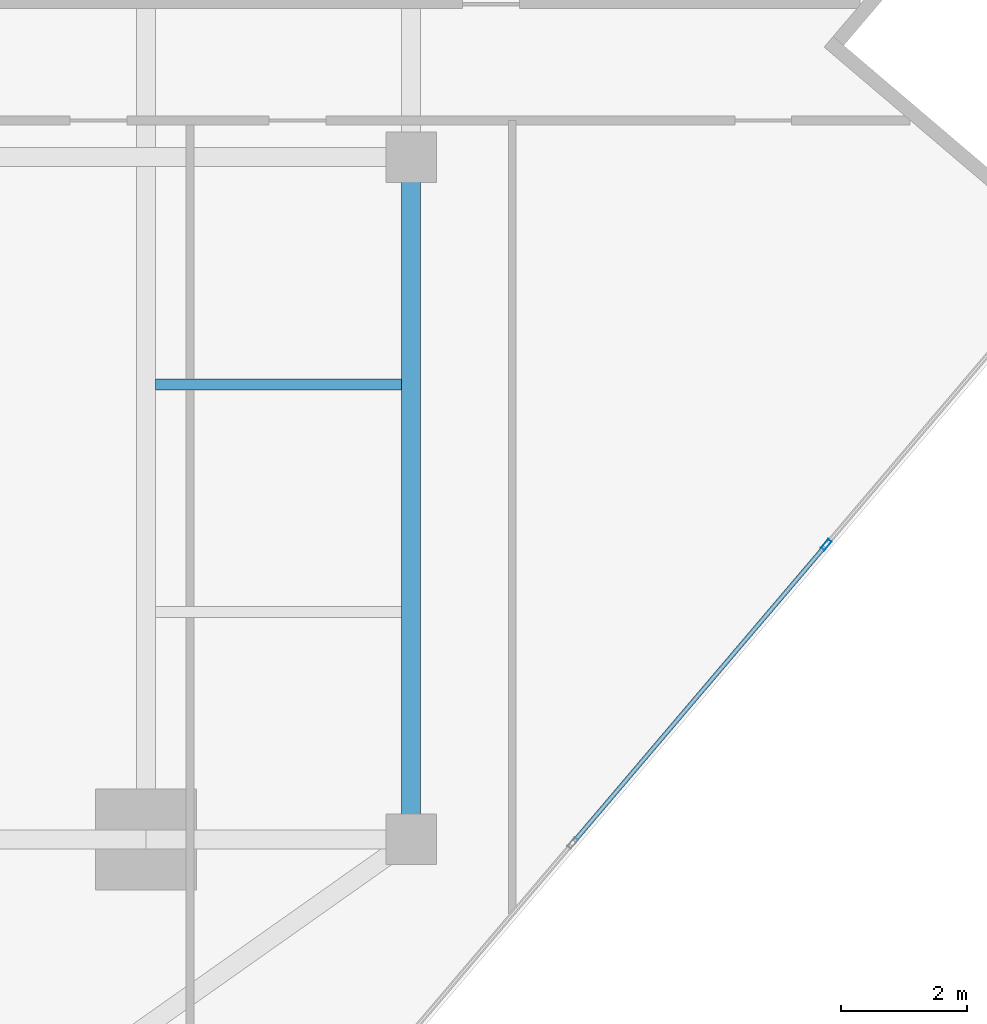
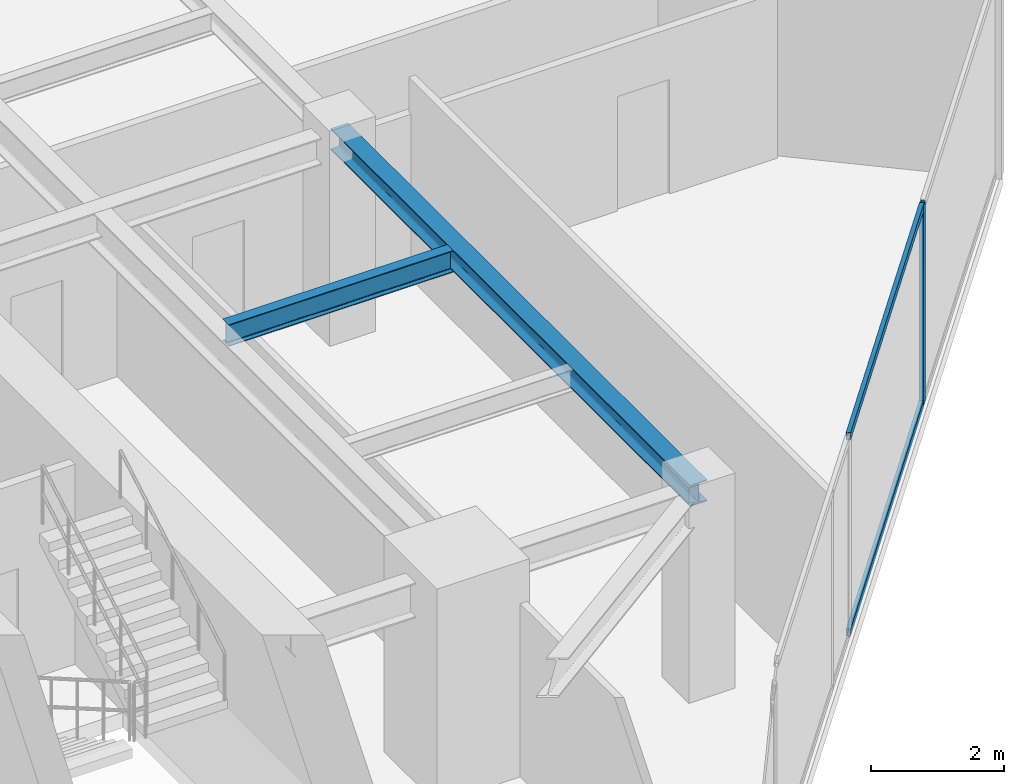
# One storey, part 11 of 25: 3 members, 2 beams, 1 element without a shape of its own.
"""IFC4 building model written with IfcOpenShell, lengths in metres."""

from ifc_helpers import new_model, si_unit, direction, frame, origin, origin_2d, place, context, subcontext, project, spatial, hollow_rectangle, i_section, extrude, source, transform, mapped, material, material_profile, profile_set, type_object, type_shapes, element, aggregate, save


model = new_model("IFC4")

# Units and contexts
model_context = context("Model", 3, precision=1e-05, world=origin(), true_north=direction((0.0, 1.0)))
body_context = subcontext(model_context, "Body", "Model", "MODEL_VIEW")
ifc_project = project(units=[si_unit("LENGTHUNIT", "METRE"), si_unit("AREAUNIT", "SQUARE_METRE"), si_unit("VOLUMEUNIT", "CUBIC_METRE"), si_unit("PLANEANGLEUNIT", "RADIAN"), si_unit("MASSUNIT", "GRAM", prefix="KILO")], contexts=[model_context])

# Site, building, storey
site_placement = place(None, origin())
site = spatial("IfcSite", under=ifc_project, at=site_placement, CompositionType="ELEMENT")
building_placement = place(site_placement, origin())
building = spatial("IfcBuilding", under=site, at=building_placement, Name="Krantzveldt Concourse Tower", CompositionType="ELEMENT")
storey_placement = place(building_placement, frame((0.0, 0.0, 211.25)))
storey = spatial("IfcBuildingStorey", under=building, at=storey_placement, Name="L51", CompositionType="ELEMENT", Elevation=211.25)

# Beams
ifc_material_1 = material(Name="Steel S355JR", Category="steel")
ifc_material_profile_1 = material_profile(ifc_material_1, i_section(OverallWidth=0.300048828125, OverallDepth=0.389892578125, WebThickness=0.010986328125, FlangeThickness=0.01904296875, FilletRadius=0.027099609375, at=origin_2d()), Name="Steel S355JR", Category="steel")
ifc_profile_set_1 = profile_set([ifc_material_profile_1], Name="Steel S355JR - HEA 400")
beam_type_1 = type_object("IfcBeamType", Name="BM-SP-HEA400", PredefinedType="SPANDREL", material=ifc_profile_set_1)
shared_shape_1 = source(origin(), body_context, "Body", "SweptSolid", [
    extrude(i_section(OverallWidth=0.300048828125, OverallDepth=0.389892578125, WebThickness=0.010986328125, FlangeThickness=0.01904296875, FilletRadius=0.027099609375, at=origin_2d()), origin(), (0.0, 0.0, 1.0), 10.800048828125),
])
type_shapes(beam_type_1, [shared_shape_1])
beam_1_placement = place(storey_placement, frame((51.0, 26.699951171875, 3.47509765625), z_axis=(0.0, -1.0, 0.0), x_axis=(1.0, 0.0, 0.0)))
element("IfcBeam", 1, at=beam_1_placement, inside=storey, type_object=beam_type_1, Name="L51 Tower Girder SP-R07", PredefinedType="SPANDREL", context=body_context, shape_type="MappedRepresentation", body=[
    mapped(shared_shape_1, transform((0.0, 0.0, 0.0), x_axis=(1.0, 0.0, 0.0), y_axis=(0.0, 1.0, 0.0), z_axis=(0.0, 0.0, 1.0), scale=1.0)),
])
ifc_material_profile_2 = material_profile(ifc_material_1, i_section(OverallWidth=0.179931640625, OverallDepth=0.39990234375, WebThickness=0.008544921875, FlangeThickness=0.013427734375, FilletRadius=0.02099609375, at=origin_2d()), Name="Steel S355JR", Category="steel")
ifc_profile_set_2 = profile_set([ifc_material_profile_2], Name="Steel S355JR - IPE 400")
beam_type_2 = type_object("IfcBeamType", Name="BM-J-IPE400", PredefinedType="JOIST", material=ifc_profile_set_2)
shared_shape_2 = source(origin(), body_context, "Body", "SweptSolid", [
    extrude(i_section(OverallWidth=0.179931640625, OverallDepth=0.39990234375, WebThickness=0.008544921875, FlangeThickness=0.013427734375, FilletRadius=0.02099609375, at=origin_2d()), origin(), (0.0, 0.0, 1.0), 3.900146484375),
])
type_shapes(beam_type_2, [shared_shape_2])
beam_2_placement = place(storey_placement, frame((46.949951171875, 23.10009765625, 3.469970703125), z_axis=(1.0, 0.0, 0.0), x_axis=(0.0, 1.0, 0.0)))
element("IfcBeam", 2, at=beam_2_placement, inside=storey, type_object=beam_type_2, Name="L51 Secondary Floor Joist JE-2", PredefinedType="JOIST", context=body_context, shape_type="MappedRepresentation", body=[
    mapped(shared_shape_2, transform((0.0, 0.0, 0.0), x_axis=(1.0, 0.0, 0.0), y_axis=(0.0, 1.0, 0.0), z_axis=(0.0, 0.0, 1.0), scale=1.0)),
])

# Curtain wall, members
ifc_material_2 = material(Name="Anodised aluminium 6063-T6", Category="aluminium")
curtain_wall_type = type_object("IfcCurtainWallType", Name="CW3", PredefinedType="USERDEFINED", material=ifc_material_2)
curtain_wall_placement = place(storey_placement, origin())
curtain_wall = element("IfcCurtainWall", 3, at=curtain_wall_placement, inside=storey, type_object=curtain_wall_type, Name="CW-L51-F07", ObjectType="UNITISED CURTAIN WALL", PredefinedType="USERDEFINED")
ifc_material_profile_3 = material_profile(ifc_material_2, hollow_rectangle(XDim=0.070068359375, YDim=0.179931640625, WallThickness=0.0048828125, at=origin_2d()), Name="Anodised aluminium 6063-T6", Category="aluminium")
ifc_profile_set_3 = profile_set([ifc_material_profile_3], Name="Anodised aluminium 6063-T6 - ALU-MULL 180x70x5")
member_type_1 = type_object("IfcMemberType", Name="CW-MUL-180", PredefinedType="MULLION", material=ifc_profile_set_3)
shared_shape_3 = source(origin(), body_context, "Body", "SweptSolid", [
    extrude(hollow_rectangle(XDim=0.070068359375, YDim=0.179931640625, WallThickness=0.0048828125, at=origin_2d()), origin(), (0.0, 0.0, 1.0), 3.669921875),
])
type_shapes(member_type_1, [shared_shape_3])
member_1_placement = place(storey_placement, frame((57.5732421875, 20.5634765625, 0.0), z_axis=(0.0, 0.0, 1.0), x_axis=(-0.761820912327, 0.647787694805, 0.0)))
member_1 = element("IfcMember", 4, at=member_1_placement, type_object=member_type_1, Name="CW-Z34 mullion 5", PredefinedType="MULLION", context=body_context, shape_type="MappedRepresentation", body=[
    mapped(shared_shape_3, transform((0.0, 0.0, 0.0), x_axis=(1.0, 0.0, 0.0), y_axis=(0.0, 1.0, 0.0), z_axis=(0.0, 0.0, 1.0), scale=1.0)),
])
ifc_material_profile_4 = material_profile(ifc_material_2, hollow_rectangle(XDim=0.070068359375, YDim=0.139892578125, WallThickness=0.0048828125, at=origin_2d()), Name="Anodised aluminium 6063-T6", Category="aluminium")
ifc_profile_set_4 = profile_set([ifc_material_profile_4], Name="Anodised aluminium 6063-T6 - ALU-TRAN 140x70x5")
member_type_2 = type_object("IfcMemberType", Name="CW-TRN-150", PredefinedType="USERDEFINED", material=ifc_profile_set_4)
shared_shape_4 = source(origin(), body_context, "Body", "SweptSolid", [
    extrude(hollow_rectangle(XDim=0.070068359375, YDim=0.139892578125, WallThickness=0.0048828125, at=origin_2d()), origin(), (0.0, 0.0, 1.0), 6.1298828125),
])
type_shapes(member_type_2, [shared_shape_4])
member_2_placement = place(storey_placement, frame((53.57958984375, 15.866943359375, 0.034912109375), z_axis=(0.647791763952, 0.761817452252, 0.0), x_axis=(-0.761817452252, 0.647791763952, 0.0)))
member_2 = element("IfcMember", 5, at=member_2_placement, type_object=member_type_2, Name="CW-Z34 transom 4.1", ObjectType="TRANSOM", PredefinedType="USERDEFINED", context=body_context, shape_type="MappedRepresentation", body=[
    mapped(shared_shape_4, transform((0.0, 0.0, 0.0), x_axis=(1.0, 0.0, 0.0), y_axis=(0.0, 1.0, 0.0), z_axis=(0.0, 0.0, 1.0), scale=1.0)),
])
member_3_placement = place(storey_placement, frame((53.57958984375, 15.866943359375, 3.635009765625), z_axis=(0.647791763952, 0.761817452252, 0.0), x_axis=(-0.761817452252, 0.647791763952, 0.0)))
member_3 = element("IfcMember", 6, at=member_3_placement, type_object=member_type_2, Name="CW-Z34 transom 4.2", ObjectType="TRANSOM", PredefinedType="USERDEFINED", context=body_context, shape_type="MappedRepresentation", body=[
    mapped(shared_shape_4, transform((0.0, 0.0, 0.0), x_axis=(1.0, 0.0, 0.0), y_axis=(0.0, 1.0, 0.0), z_axis=(0.0, 0.0, 1.0), scale=1.0)),
])
aggregate(curtain_wall, [member_1, member_2, member_3])

save(model, "model.ifc")
